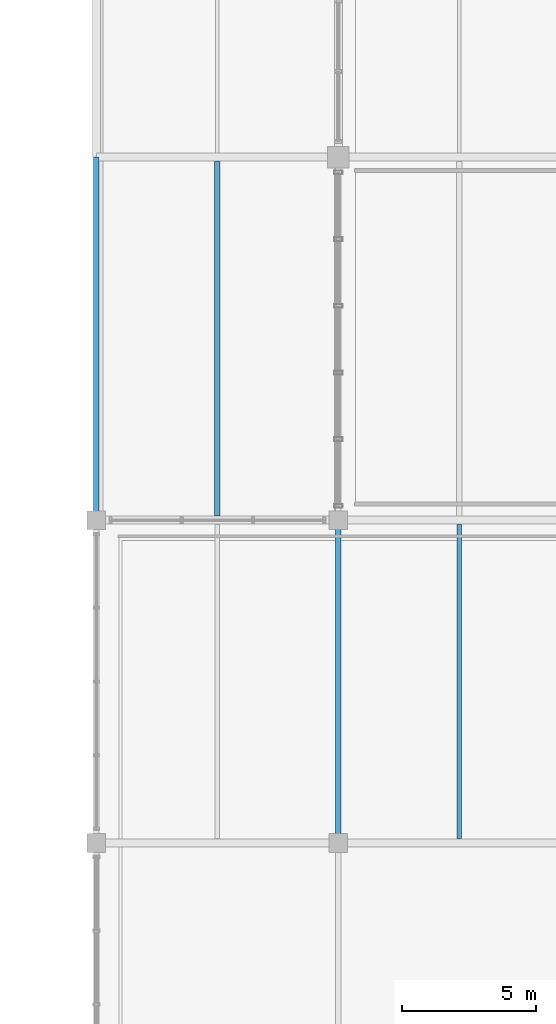
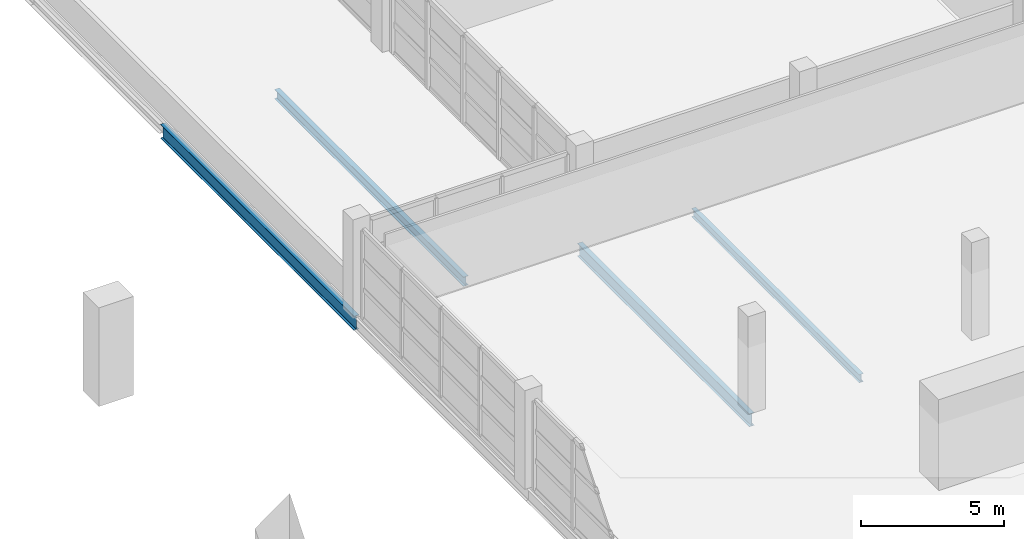
# One storey, part 71 of 136: 4 beams.
"""IFC4 building model written with IfcOpenShell, lengths in metres."""

from ifc_helpers import new_model, si_unit, direction, frame, origin, origin_2d, place, context, subcontext, project, spatial, i_section, extrude, material, material_profile, profile_set, type_object, element, save


model = new_model("IFC4")

# Units and contexts
model_context = context("Model", 3, precision=1e-05, world=origin(), true_north=direction((0.0, 1.0)))
body_context = subcontext(model_context, "Body", "Model", "MODEL_VIEW")
ifc_project = project(units=[si_unit("LENGTHUNIT", "METRE"), si_unit("AREAUNIT", "SQUARE_METRE"), si_unit("VOLUMEUNIT", "CUBIC_METRE"), si_unit("PLANEANGLEUNIT", "RADIAN"), si_unit("MASSUNIT", "GRAM", prefix="KILO")], contexts=[model_context])

# Site, building, storey
site_placement = place(None, origin())
site = spatial("IfcSite", under=ifc_project, at=site_placement, CompositionType="ELEMENT")
building_placement = place(site_placement, origin())
building = spatial("IfcBuilding", under=site, at=building_placement, Name="Chuanluo Vaults Station", CompositionType="ELEMENT")
storey_placement = place(building_placement, frame((0.0, 0.0, 6.60009765625)))
storey = spatial("IfcBuildingStorey", under=building, at=storey_placement, Name="L01", CompositionType="ELEMENT", Elevation=6.60009765625)

# Beams
ifc_material_1 = material(Name="Steel Q355C", Category="steel")
ifc_material_profile_1 = material_profile(ifc_material_1, i_section(OverallWidth=0.199951171875, OverallDepth=0.550048828125, WebThickness=0.010009765625, FlangeThickness=0.01611328125, FilletRadius=0.01806640625, at=origin_2d()))
ifc_profile_set_1 = profile_set([ifc_material_profile_1], Name="Steel Q355C")
beam_type_1 = type_object("IfcBeamType", Name="BM-GRD-550", PredefinedType="USERDEFINED", material=ifc_profile_set_1)
beam_1_placement = place(storey_placement, frame((145.0, 42.0, -0.51513671875), z_axis=(0.0, 1.0, 0.0), x_axis=(-1.0, 0.0, 0.0)))
element("IfcBeam", 1, at=beam_1_placement, inside=storey, type_object=beam_type_1, Name="Floor girder BM:GY:L01:0469", ObjectType="GIRDER", PredefinedType="USERDEFINED", context=body_context, shape_type="SweptSolid", body=[
    extrude(i_section(OverallWidth=0.199951171875, OverallDepth=0.550048828125, WebThickness=0.010009765625, FlangeThickness=0.01611328125, FilletRadius=0.01806640625, at=origin_2d()), origin(), (0.0, 0.0, 1.0), 12.0),
])
ifc_material_2 = material(Name="Steel Q355C", Category="steel")
ifc_material_profile_2 = material_profile(ifc_material_2, i_section(OverallWidth=0.199951171875, OverallDepth=0.60009765625, WebThickness=0.010986328125, FlangeThickness=0.01708984375, FilletRadius=0.01806640625, at=origin_2d()))
ifc_profile_set_2 = profile_set([ifc_material_profile_2], Name="Steel Q355C")
beam_type_2 = type_object("IfcBeamType", Name="BM-GRD-600", PredefinedType="USERDEFINED", material=ifc_profile_set_2)
beam_2_placement = place(storey_placement, frame((136.0, 54.0, -0.505126953125), z_axis=(0.0, 1.0, 0.0), x_axis=(-1.0, 0.0, 0.0)))
element("IfcBeam", 2, at=beam_2_placement, inside=storey, type_object=beam_type_2, Name="Floor girder BM:GY:L01:0459", ObjectType="GIRDER", PredefinedType="USERDEFINED", context=body_context, shape_type="SweptSolid", body=[
    extrude(i_section(OverallWidth=0.199951171875, OverallDepth=0.60009765625, WebThickness=0.010986328125, FlangeThickness=0.01708984375, FilletRadius=0.01806640625, at=origin_2d()), origin(), (0.0, 0.0, 1.0), 13.5),
])
ifc_material_3 = material(Name="Steel Q355C", Category="steel")
ifc_material_profile_3 = material_profile(ifc_material_3, i_section(OverallWidth=0.175048828125, OverallDepth=0.35009765625, WebThickness=0.007080078125, FlangeThickness=0.010986328125, FilletRadius=0.013916015625, at=origin_2d()))
ifc_profile_set_3 = profile_set([ifc_material_profile_3], Name="Steel Q355C")
beam_type_3 = type_object("IfcBeamType", Name="BM-SEC-350", PredefinedType="JOIST", material=ifc_profile_set_3)
beam_3_placement = place(storey_placement, frame((149.5, 42.155029296875, -0.4150390625), z_axis=(0.0, 1.0, 0.0), x_axis=(-1.0, 0.0, 0.0)))
element("IfcBeam", 3, at=beam_3_placement, inside=storey, type_object=beam_type_3, Name="Composite secondary joist 0160", PredefinedType="JOIST", context=body_context, shape_type="SweptSolid", body=[
    extrude(i_section(OverallWidth=0.175048828125, OverallDepth=0.35009765625, WebThickness=0.007080078125, FlangeThickness=0.010986328125, FilletRadius=0.013916015625, at=origin_2d()), origin(), (0.0, 0.0, 1.0), 11.68994140625),
])
ifc_material_4 = material(Name="Steel Q355C", Category="steel")
ifc_material_profile_4 = material_profile(ifc_material_4, i_section(OverallWidth=0.199951171875, OverallDepth=0.39990234375, WebThickness=0.008056640625, FlangeThickness=0.012939453125, FilletRadius=0.01611328125, at=origin_2d()))
ifc_profile_set_4 = profile_set([ifc_material_profile_4], Name="Steel Q355C")
beam_type_4 = type_object("IfcBeamType", Name="BM-SEC-400", PredefinedType="BEAM", material=ifc_profile_set_4)
beam_4_placement = place(storey_placement, frame((140.5, 54.155029296875, -0.405029296875), z_axis=(0.0, 1.0, 0.0), x_axis=(-1.0, 0.0, 0.0)))
element("IfcBeam", 4, at=beam_4_placement, inside=storey, type_object=beam_type_4, Name="Composite secondary joist 0151", PredefinedType="BEAM", context=body_context, shape_type="SweptSolid", body=[
    extrude(i_section(OverallWidth=0.199951171875, OverallDepth=0.39990234375, WebThickness=0.008056640625, FlangeThickness=0.012939453125, FilletRadius=0.01611328125, at=origin_2d()), origin(), (0.0, 0.0, 1.0), 13.18994140625),
])

save(model, "model.ifc")
